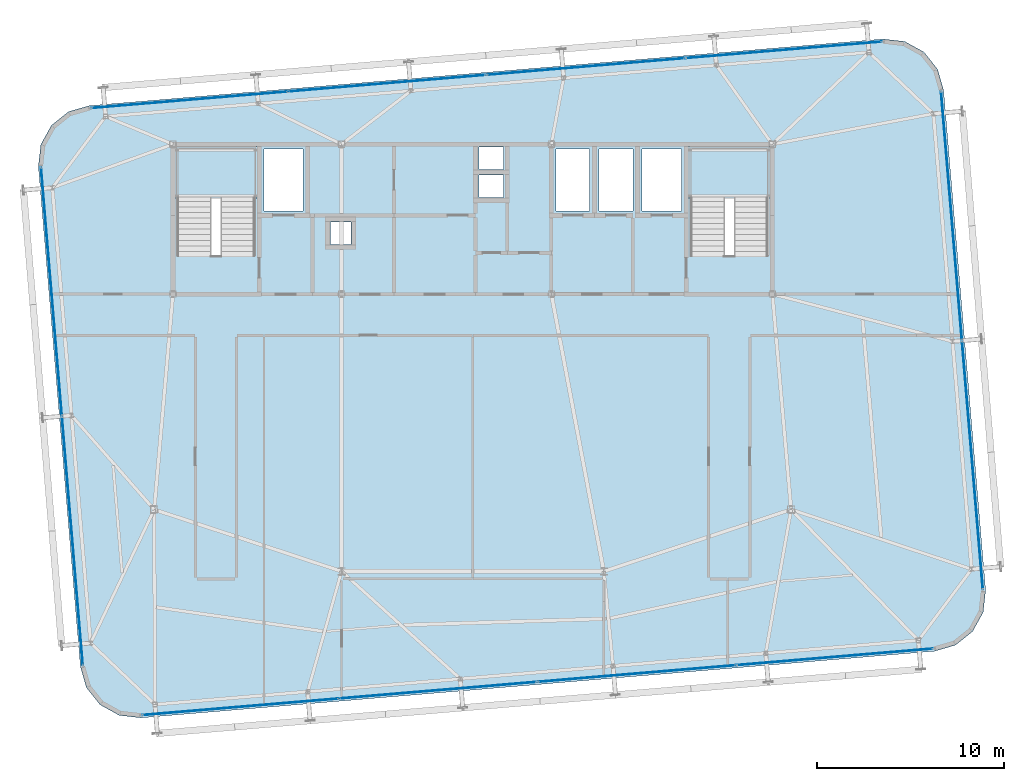
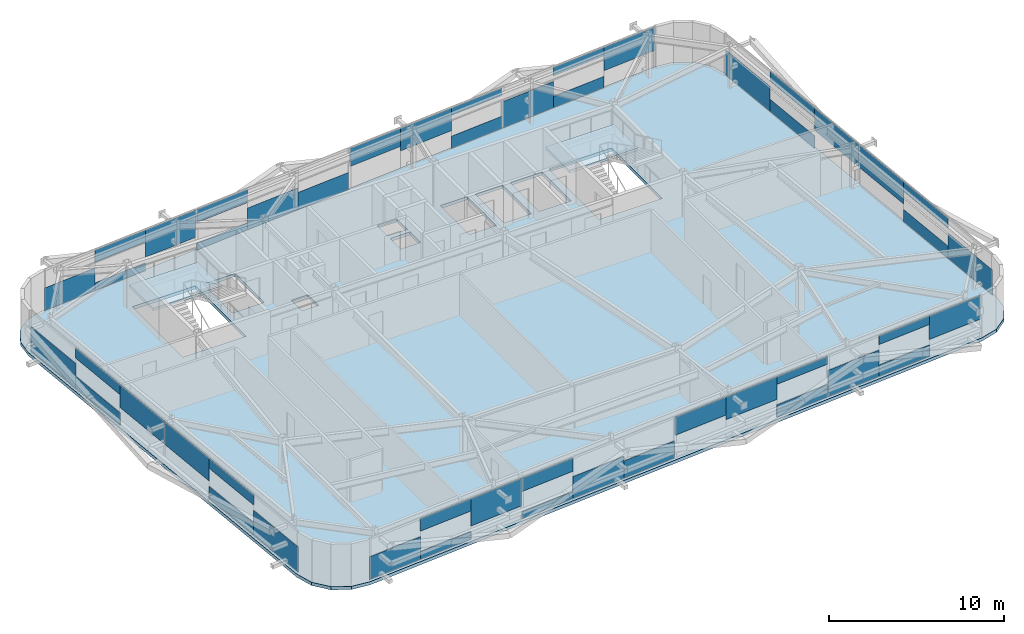
# One storey, part 26 of 37: 48 plates, 3 slabs, 6 elements without a shape of their own.
"""IFC4 building model written with IfcOpenShell, lengths in metres."""

from ifc_helpers import new_model, si_unit, direction, frame, origin, origin_2d, place, context, subcontext, project, spatial, polyline, rectangle, outline, extrude, source, transform, mapped, material, layer, layer_set, type_object, element, aggregate, save


model = new_model("IFC4")

# Units and contexts
model_context = context("Model", 3, precision=1e-05, world=origin(), true_north=direction((0.0, 1.0)))
body_context = subcontext(model_context, "Body", "Model", "MODEL_VIEW")
ifc_project = project(units=[si_unit("LENGTHUNIT", "METRE"), si_unit("AREAUNIT", "SQUARE_METRE"), si_unit("VOLUMEUNIT", "CUBIC_METRE"), si_unit("PLANEANGLEUNIT", "RADIAN"), si_unit("MASSUNIT", "GRAM", prefix="KILO")], contexts=[model_context])

# Site, building, storey
site_placement = place(None, origin())
site = spatial("IfcSite", under=ifc_project, at=site_placement, CompositionType="ELEMENT")
building_placement = place(site_placement, origin())
building = spatial("IfcBuilding", under=site, at=building_placement, Name="Taldren Reach Tower", CompositionType="ELEMENT")
storey_placement = place(building_placement, frame((0.0, 0.0, 200.89990234375)))
storey = spatial("IfcBuildingStorey", under=building, at=storey_placement, Name="L61", CompositionType="ELEMENT", Elevation=200.89990234375)

# Slab
ifc_material_1 = material(Name="Concrete N40 (40 MPa)", Category="concrete")
ifc_layer_1 = layer(ifc_material_1, 0.219970703125)
ifc_layer_set_1 = layer_set([ifc_layer_1], Name="Concrete N40 (40 MPa)")
slab_type_1 = type_object("IfcSlabType", Name="SL-FLR-220", PredefinedType="FLOOR", material=ifc_layer_set_1)
slab_1_placement = place(storey_placement, frame((0.0, 0.0, -0.219970703125)))
element("IfcSlab", 1, at=slab_1_placement, inside=storey, type_object=slab_type_1, Name="Suspended floor slab L61", PredefinedType="FLOOR", context=body_context, shape_type="SweptSolid", body=[
    extrude(outline(polyline([(59.647705078125, 4.935791015625), (60.772705078125, 5.25927734375), (61.688232421875, 5.98876953125), (62.254638671875, 7.012939453125), (62.38623046875, 8.17626953125), (60.1435546875, 34.882080078125), (59.820068359375, 36.007080078125), (59.090576171875, 36.922607421875), (58.06640625, 37.4892578125), (56.903076171875, 37.62060546875), (14.55224609375, 34.064208984375), (13.42724609375, 33.74072265625), (12.511962890625, 33.01123046875), (11.9453125, 31.987060546875), (11.813720703125, 30.82373046875), (14.056396484375, 4.117919921875), (14.3798828125, 2.992919921875), (15.109375, 2.077392578125), (16.1337890625, 1.5107421875), (17.296875, 1.37939453125), (59.647705078125, 4.935791015625)]), holes=[polyline([(19.219970703125, 26.050048828125), (23.3798828125, 26.050048828125), (23.3798828125, 31.820068359375), (19.219970703125, 31.820068359375), (19.219970703125, 26.050048828125)]), polyline([(46.6201171875, 26.050048828125), (50.780029296875, 26.050048828125), (50.780029296875, 31.820068359375), (46.6201171875, 31.820068359375), (46.6201171875, 26.050048828125)]), polyline([(23.85009765625, 28.449951171875), (25.949951171875, 28.449951171875), (25.949951171875, 31.75), (23.85009765625, 31.75), (23.85009765625, 28.449951171875)]), polyline([(44.050048828125, 28.449951171875), (46.14990234375, 28.449951171875), (46.14990234375, 31.75), (44.050048828125, 31.75), (44.050048828125, 28.449951171875)]), polyline([(39.449951171875, 28.449951171875), (41.25, 28.449951171875), (41.25, 31.75), (39.449951171875, 31.75), (39.449951171875, 28.449951171875)]), polyline([(41.75, 28.449951171875), (43.550048828125, 28.449951171875), (43.550048828125, 31.75), (41.75, 31.75), (41.75, 28.449951171875)]), polyline([(35.35009765625, 30.64990234375), (36.64990234375, 30.64990234375), (36.64990234375, 31.85009765625), (35.35009765625, 31.85009765625), (35.35009765625, 30.64990234375)]), polyline([(35.35009765625, 29.14990234375), (36.64990234375, 29.14990234375), (36.64990234375, 30.35009765625), (35.35009765625, 30.35009765625), (35.35009765625, 29.14990234375)]), polyline([(27.39990234375, 26.64990234375), (28.5, 26.64990234375), (28.5, 27.85009765625), (27.39990234375, 27.85009765625), (27.39990234375, 26.64990234375)])]), origin(), (0.0, 0.0, 1.0), 0.219970703125),
])

# Stair, slab
ifc_material_2 = material(Name="Concrete S50 (50 MPa)", Category="concrete")
stair_type = type_object("IfcStairType", Name="ST-HT-315", PredefinedType="HALF_TURN_STAIR", material=ifc_material_2)
stair_1_placement = place(storey_placement, origin())
stair_1 = element("IfcStair", 2, at=stair_1_placement, inside=storey, type_object=stair_type, Name="Fire-isolated exit stair ST1 L61", PredefinedType="HALF_TURN_STAIR")
ifc_layer_2 = layer(ifc_material_2, 0.179931640625)
ifc_layer_set_2 = layer_set([ifc_layer_2], Name="Concrete S50 (50 MPa)")
slab_type_2 = type_object("IfcSlabType", Name="SL-LAND-180", PredefinedType="LANDING", material=ifc_layer_set_2)
slab_2_placement = place(storey_placement, frame((0.0, 0.0, 1.39501953125)))
slab_2 = element("IfcSlab", 3, at=slab_2_placement, type_object=slab_type_2, Name="ST1 landing 1", PredefinedType="LANDING", context=body_context, shape_type="SweptSolid", body=[
    extrude(outline(polyline([(19.0400390625, 29.135009765625), (23.56005859375, 29.135009765625), (23.56005859375, 31.8701171875), (19.0400390625, 31.8701171875), (19.0400390625, 29.135009765625)])), origin(), (0.0, 0.0, 1.0), 0.18017578125),
])
aggregate(stair_1, [slab_2])

stair_2_placement = place(storey_placement, origin())
stair_2 = element("IfcStair", 4, at=stair_2_placement, inside=storey, type_object=stair_type, Name="Fire-isolated exit stair ST2 L61", PredefinedType="HALF_TURN_STAIR")
slab_3_placement = place(storey_placement, frame((0.0, 0.0, 1.39501953125)))
slab_3 = element("IfcSlab", 5, at=slab_3_placement, type_object=slab_type_2, Name="ST2 landing 1", PredefinedType="LANDING", context=body_context, shape_type="SweptSolid", body=[
    extrude(outline(polyline([(46.43994140625, 29.135009765625), (50.9599609375, 29.135009765625), (50.9599609375, 31.8701171875), (46.43994140625, 31.8701171875), (46.43994140625, 29.135009765625)])), origin(), (0.0, 0.0, 1.0), 0.18017578125),
])
aggregate(stair_2, [slab_3])

# Curtain wall, plate
ifc_material_3 = material(Name="Aluminium and Low-E Glass Unitised System", Category="aluminium")
ifc_layer_3 = layer(ifc_material_3, 0.159912109375)
ifc_layer_set_3 = layer_set([ifc_layer_3], Name="Aluminium and Low-E Glass Unitised System")
curtain_wall_type = type_object("IfcCurtainWallType", Name="CW-SYS-5", PredefinedType="NOTDEFINED", material=ifc_layer_set_3)
curtain_wall_1_placement = place(storey_placement, origin())
curtain_wall_1 = element("IfcCurtainWall", 6, at=curtain_wall_1_placement, inside=storey, type_object=curtain_wall_type, Name="Unitised curtain wall CW-L61-S", PredefinedType="NOTDEFINED")
ifc_material_4 = material(Name="Acoustic Triple-Laminated IGU", Category="glass")
ifc_layer_4 = layer(ifc_material_4, 0.035888671875)
ifc_layer_set_4 = layer_set([ifc_layer_4], Name="Acoustic Triple-Laminated IGU")
plate_type = type_object("IfcPlateType", Name="CW-PNL-IGU36", PredefinedType="CURTAIN_PANEL", material=ifc_layer_set_4)
shared_shape_1 = source(origin(), body_context, "Body", "SweptSolid", [
    extrude(rectangle(XDim=3.506591796875, YDim=0.035888671875, at=origin_2d()), origin(), (0.0, 0.0, 1.0), 1.63232421875),
])
plate_1_placement = place(storey_placement, frame((57.819091796875, 4.922607421875, 1.23779296875), z_axis=(0.0, 0.0, 1.0), x_axis=(0.996492854922, 0.083677894865, 0.0)))
plate_1 = element("IfcPlate", 7, at=plate_1_placement, type_object=plate_type, Name="CW-5 panel 4.1 part 4", PredefinedType="CURTAIN_PANEL", context=body_context, shape_type="MappedRepresentation", body=[
    mapped(shared_shape_1, transform((0.0, 0.0, 0.0), scale=1.0)),
])

curtain_wall_2_placement = place(storey_placement, origin())
curtain_wall_2 = element("IfcCurtainWall", 8, at=curtain_wall_2_placement, inside=storey, type_object=curtain_wall_type, Name="Unitised curtain wall CW-L61-N", PredefinedType="NOTDEFINED")
plate_2_placement = place(storey_placement, frame((55.097900390625, 37.32861328125, 1.23779296875), z_axis=(0.0, 0.0, 1.0), x_axis=(-0.99649285657, -0.083677875247, 0.0)))
plate_2 = element("IfcPlate", 9, at=plate_2_placement, type_object=plate_type, Name="CW-5 panel 1.1 part 1", PredefinedType="CURTAIN_PANEL", context=body_context, shape_type="MappedRepresentation", body=[
    mapped(shared_shape_1, transform((0.0, 0.0, 0.0), scale=1.0)),
])

# Plate
shared_shape_2 = source(origin(), body_context, "Body", "SweptSolid", [
    extrude(rectangle(XDim=3.506591796875, YDim=0.035888671875, at=origin_2d()), origin(), (0.0, 0.0, 1.0), 0.7919921875),
])
plate_3_placement = place(storey_placement, frame((54.32470703125, 4.629150390625, 0.06005859375), z_axis=(0.0, 0.0, 1.0), x_axis=(0.996492854922, 0.083677894865, 0.0)))
plate_3 = element("IfcPlate", 10, at=plate_3_placement, type_object=plate_type, Name="CW-5 panel 4.1 part 2", PredefinedType="CURTAIN_PANEL", context=body_context, shape_type="MappedRepresentation", body=[
    mapped(shared_shape_2, transform((0.0, 0.0, 0.0), scale=1.0)),
])

plate_4_placement = place(storey_placement, frame((51.603515625, 37.03515625, 0.06005859375), z_axis=(0.0, 0.0, 1.0), x_axis=(-0.99649285657, -0.083677875247, 0.0)))
plate_4 = element("IfcPlate", 11, at=plate_4_placement, type_object=plate_type, Name="CW-5 panel 1.1 part 2", PredefinedType="CURTAIN_PANEL", context=body_context, shape_type="MappedRepresentation", body=[
    mapped(shared_shape_2, transform((0.0, 0.0, 0.0), scale=1.0)),
])

shared_shape_3 = source(origin(), body_context, "Body", "SweptSolid", [
    extrude(rectangle(XDim=3.506591796875, YDim=0.035888671875, at=origin_2d()), origin(), (0.0, 0.0, 1.0), 0.590576171875),
])
plate_5_placement = place(storey_placement, frame((54.32470703125, 4.629150390625, 2.279296875), z_axis=(0.0, 0.0, 1.0), x_axis=(0.996492854922, 0.083677894865, 0.0)))
plate_5 = element("IfcPlate", 12, at=plate_5_placement, type_object=plate_type, Name="CW-5 panel 4.1 part 3", PredefinedType="CURTAIN_PANEL", context=body_context, shape_type="MappedRepresentation", body=[
    mapped(shared_shape_3, transform((0.0, 0.0, 0.0), scale=1.0)),
])

plate_6_placement = place(storey_placement, frame((51.603515625, 37.03515625, 2.279296875), z_axis=(0.0, 0.0, 1.0), x_axis=(-0.99649285657, -0.083677875247, 0.0)))
plate_6 = element("IfcPlate", 13, at=plate_6_placement, type_object=plate_type, Name="CW-5 panel 1.1 part 3", PredefinedType="CURTAIN_PANEL", context=body_context, shape_type="MappedRepresentation", body=[
    mapped(shared_shape_3, transform((0.0, 0.0, 0.0), scale=1.0)),
])

shared_shape_4 = source(origin(), body_context, "Body", "SweptSolid", [
    extrude(rectangle(XDim=3.506591796875, YDim=0.035888671875, at=origin_2d()), origin(), (0.0, 0.0, 1.0), 1.833740234375),
])
plate_7_placement = place(storey_placement, frame((50.830322265625, 4.335693359375, 0.06005859375), z_axis=(0.0, 0.0, 1.0), x_axis=(0.996492854922, 0.083677894865, 0.0)))
plate_7 = element("IfcPlate", 14, at=plate_7_placement, type_object=plate_type, Name="CW-5 panel 4.1 part 1", PredefinedType="CURTAIN_PANEL", context=body_context, shape_type="MappedRepresentation", body=[
    mapped(shared_shape_4, transform((0.0, 0.0, 0.0), scale=1.0)),
])

plate_8_placement = place(storey_placement, frame((48.109130859375, 36.74169921875, 0.06005859375), z_axis=(0.0, 0.0, 1.0), x_axis=(-0.99649285657, -0.083677875247, 0.0)))
plate_8 = element("IfcPlate", 15, at=plate_8_placement, type_object=plate_type, Name="CW-5 panel 1.1 part 4", PredefinedType="CURTAIN_PANEL", context=body_context, shape_type="MappedRepresentation", body=[
    mapped(shared_shape_4, transform((0.0, 0.0, 0.0), scale=1.0)),
])

shared_shape_5 = source(origin(), body_context, "Body", "SweptSolid", [
    extrude(rectangle(XDim=3.518310546875, YDim=0.035888671875, at=origin_2d()), origin(), (0.0, 0.0, 1.0), 0.85302734375),
])
plate_9_placement = place(storey_placement, frame((47.260498046875, 4.035888671875, 0.06005859375), z_axis=(0.0, 0.0, 1.0), x_axis=(0.996492854922, 0.083677894865, 0.0)))
plate_9 = element("IfcPlate", 16, at=plate_9_placement, type_object=plate_type, Name="CW-5 panel 3.1 part 3", PredefinedType="CURTAIN_PANEL", context=body_context, shape_type="MappedRepresentation", body=[
    mapped(shared_shape_5, transform((0.0, 0.0, 0.0), scale=1.0)),
])

plate_10_placement = place(storey_placement, frame((44.539306640625, 36.44189453125, 0.06005859375), z_axis=(0.0, 0.0, 1.0), x_axis=(-0.99649285657, -0.083677875247, 0.0)))
plate_10 = element("IfcPlate", 17, at=plate_10_placement, type_object=plate_type, Name="CW-5 panel 2.1 part 1", PredefinedType="CURTAIN_PANEL", context=body_context, shape_type="MappedRepresentation", body=[
    mapped(shared_shape_5, transform((0.0, 0.0, 0.0), scale=1.0)),
])

shared_shape_6 = source(origin(), body_context, "Body", "SweptSolid", [
    extrude(rectangle(XDim=3.518310546875, YDim=0.035888671875, at=origin_2d()), origin(), (0.0, 0.0, 1.0), 0.5263671875),
])
plate_11_placement = place(storey_placement, frame((47.260498046875, 4.035888671875, 2.34375), z_axis=(0.0, 0.0, 1.0), x_axis=(0.996492854922, 0.083677894865, 0.0)))
plate_11 = element("IfcPlate", 18, at=plate_11_placement, type_object=plate_type, Name="CW-5 panel 3.1 part 4", PredefinedType="CURTAIN_PANEL", context=body_context, shape_type="MappedRepresentation", body=[
    mapped(shared_shape_6, transform((0.0, 0.0, 0.0), scale=1.0)),
])

plate_12_placement = place(storey_placement, frame((44.539306640625, 36.44189453125, 2.34375), z_axis=(0.0, 0.0, 1.0), x_axis=(-0.99649285657, -0.083677875247, 0.0)))
plate_12 = element("IfcPlate", 19, at=plate_12_placement, type_object=plate_type, Name="CW-5 panel 2.1 part 2", PredefinedType="CURTAIN_PANEL", context=body_context, shape_type="MappedRepresentation", body=[
    mapped(shared_shape_6, transform((0.0, 0.0, 0.0), scale=1.0)),
])

shared_shape_7 = source(origin(), body_context, "Body", "SweptSolid", [
    extrude(rectangle(XDim=3.518310546875, YDim=0.035888671875, at=origin_2d()), origin(), (0.0, 0.0, 1.0), 1.571533203125),
])
plate_13_placement = place(storey_placement, frame((43.75439453125, 3.741455078125, 1.298828125), z_axis=(0.0, 0.0, 1.0), x_axis=(0.996492854922, 0.083677894865, 0.0)))
plate_13 = element("IfcPlate", 20, at=plate_13_placement, type_object=plate_type, Name="CW-5 panel 3.1 part 2", PredefinedType="CURTAIN_PANEL", context=body_context, shape_type="MappedRepresentation", body=[
    mapped(shared_shape_7, transform((0.0, 0.0, 0.0), scale=1.0)),
])

plate_14_placement = place(storey_placement, frame((41.033203125, 36.1474609375, 1.298828125), z_axis=(0.0, 0.0, 1.0), x_axis=(-0.99649285657, -0.083677875247, 0.0)))
plate_14 = element("IfcPlate", 21, at=plate_14_placement, type_object=plate_type, Name="CW-5 panel 2.1 part 3", PredefinedType="CURTAIN_PANEL", context=body_context, shape_type="MappedRepresentation", body=[
    mapped(shared_shape_7, transform((0.0, 0.0, 0.0), scale=1.0)),
])

shared_shape_8 = source(origin(), body_context, "Body", "SweptSolid", [
    extrude(rectangle(XDim=3.518310546875, YDim=0.035888671875, at=origin_2d()), origin(), (0.0, 0.0, 1.0), 1.252685546875),
])
plate_15_placement = place(storey_placement, frame((40.24853515625, 3.447265625, 1.61767578125), z_axis=(0.0, 0.0, 1.0), x_axis=(0.996492854922, 0.083677894865, 0.0)))
plate_15 = element("IfcPlate", 22, at=plate_15_placement, type_object=plate_type, Name="CW-5 panel 3.1 part 1", PredefinedType="CURTAIN_PANEL", context=body_context, shape_type="MappedRepresentation", body=[
    mapped(shared_shape_8, transform((0.0, 0.0, 0.0), scale=1.0)),
])

plate_16_placement = place(storey_placement, frame((37.52734375, 35.85302734375, 1.61767578125), z_axis=(0.0, 0.0, 1.0), x_axis=(-0.99649285657, -0.083677875247, 0.0)))
plate_16 = element("IfcPlate", 23, at=plate_16_placement, type_object=plate_type, Name="CW-5 panel 2.1 part 4", PredefinedType="CURTAIN_PANEL", context=body_context, shape_type="MappedRepresentation", body=[
    mapped(shared_shape_8, transform((0.0, 0.0, 0.0), scale=1.0)),
])

shared_shape_9 = source(origin(), body_context, "Body", "SweptSolid", [
    extrude(rectangle(XDim=3.518310546875, YDim=0.035888671875, at=origin_2d()), origin(), (0.0, 0.0, 1.0), 1.192626953125),
])
plate_17_placement = place(storey_placement, frame((36.672607421875, 3.14697265625, 0.06005859375), z_axis=(0.0, 0.0, 1.0), x_axis=(0.996492854922, 0.083677894865, 0.0)))
plate_17 = element("IfcPlate", 24, at=plate_17_placement, type_object=plate_type, Name="CW-5 panel 2.1 part 4", PredefinedType="CURTAIN_PANEL", context=body_context, shape_type="MappedRepresentation", body=[
    mapped(shared_shape_9, transform((0.0, 0.0, 0.0), scale=1.0)),
])

plate_18_placement = place(storey_placement, frame((33.951416015625, 35.552734375, 0.06005859375), z_axis=(0.0, 0.0, 1.0), x_axis=(-0.99649285657, -0.083677875247, 0.0)))
plate_18 = element("IfcPlate", 25, at=plate_18_placement, type_object=plate_type, Name="CW-5 panel 3.1 part 1", PredefinedType="CURTAIN_PANEL", context=body_context, shape_type="MappedRepresentation", body=[
    mapped(shared_shape_9, transform((0.0, 0.0, 0.0), scale=1.0)),
])

shared_shape_10 = source(origin(), body_context, "Body", "SweptSolid", [
    extrude(rectangle(XDim=3.518310546875, YDim=0.035888671875, at=origin_2d()), origin(), (0.0, 0.0, 1.0), 1.511474609375),
])
plate_19_placement = place(storey_placement, frame((33.166748046875, 2.8525390625, 0.06005859375), z_axis=(0.0, 0.0, 1.0), x_axis=(0.996492854922, 0.083677894865, 0.0)))
plate_19 = element("IfcPlate", 26, at=plate_19_placement, type_object=plate_type, Name="CW-5 panel 2.1 part 3", PredefinedType="CURTAIN_PANEL", context=body_context, shape_type="MappedRepresentation", body=[
    mapped(shared_shape_10, transform((0.0, 0.0, 0.0), scale=1.0)),
])

plate_20_placement = place(storey_placement, frame((30.445556640625, 35.258544921875, 0.06005859375), z_axis=(0.0, 0.0, 1.0), x_axis=(-0.99649285657, -0.083677875247, 0.0)))
plate_20 = element("IfcPlate", 27, at=plate_20_placement, type_object=plate_type, Name="CW-5 panel 3.1 part 2", PredefinedType="CURTAIN_PANEL", context=body_context, shape_type="MappedRepresentation", body=[
    mapped(shared_shape_10, transform((0.0, 0.0, 0.0), scale=1.0)),
])

shared_shape_11 = source(origin(), body_context, "Body", "SweptSolid", [
    extrude(rectangle(XDim=3.518310546875, YDim=0.035888671875, at=origin_2d()), origin(), (0.0, 0.0, 1.0), 0.46630859375),
])
plate_21_placement = place(storey_placement, frame((29.66064453125, 2.55810546875, 0.06005859375), z_axis=(0.0, 0.0, 1.0), x_axis=(0.996492854922, 0.083677894865, 0.0)))
plate_21 = element("IfcPlate", 28, at=plate_21_placement, type_object=plate_type, Name="CW-5 panel 2.1 part 1", PredefinedType="CURTAIN_PANEL", context=body_context, shape_type="MappedRepresentation", body=[
    mapped(shared_shape_11, transform((0.0, 0.0, 0.0), scale=1.0)),
])

plate_22_placement = place(storey_placement, frame((26.939453125, 34.964111328125, 0.06005859375), z_axis=(0.0, 0.0, 1.0), x_axis=(-0.99649285657, -0.083677875247, 0.0)))
plate_22 = element("IfcPlate", 29, at=plate_22_placement, type_object=plate_type, Name="CW-5 panel 3.1 part 3", PredefinedType="CURTAIN_PANEL", context=body_context, shape_type="MappedRepresentation", body=[
    mapped(shared_shape_11, transform((0.0, 0.0, 0.0), scale=1.0)),
])

shared_shape_12 = source(origin(), body_context, "Body", "SweptSolid", [
    extrude(rectangle(XDim=3.518310546875, YDim=0.035888671875, at=origin_2d()), origin(), (0.0, 0.0, 1.0), 0.9130859375),
])
plate_23_placement = place(storey_placement, frame((29.66064453125, 2.55810546875, 1.95703125), z_axis=(0.0, 0.0, 1.0), x_axis=(0.996492854922, 0.083677894865, 0.0)))
plate_23 = element("IfcPlate", 30, at=plate_23_placement, type_object=plate_type, Name="CW-5 panel 2.1 part 2", PredefinedType="CURTAIN_PANEL", context=body_context, shape_type="MappedRepresentation", body=[
    mapped(shared_shape_12, transform((0.0, 0.0, 0.0), scale=1.0)),
])

plate_24_placement = place(storey_placement, frame((26.939453125, 34.964111328125, 1.95703125), z_axis=(0.0, 0.0, 1.0), x_axis=(-0.99649285657, -0.083677875247, 0.0)))
plate_24 = element("IfcPlate", 31, at=plate_24_placement, type_object=plate_type, Name="CW-5 panel 3.1 part 4", PredefinedType="CURTAIN_PANEL", context=body_context, shape_type="MappedRepresentation", body=[
    mapped(shared_shape_12, transform((0.0, 0.0, 0.0), scale=1.0)),
])

shared_shape_13 = source(origin(), body_context, "Body", "SweptSolid", [
    extrude(rectangle(XDim=3.506591796875, YDim=0.035888671875, at=origin_2d()), origin(), (0.0, 0.0, 1.0), 1.893798828125),
])
plate_25_placement = place(storey_placement, frame((26.0908203125, 2.25830078125, 0.97607421875), z_axis=(0.0, 0.0, 1.0), x_axis=(0.996492854922, 0.083677894865, 0.0)))
plate_25 = element("IfcPlate", 32, at=plate_25_placement, type_object=plate_type, Name="CW-5 panel 1.1 part 4", PredefinedType="CURTAIN_PANEL", context=body_context, shape_type="MappedRepresentation", body=[
    mapped(shared_shape_13, transform((0.0, 0.0, 0.0), scale=1.0)),
])

plate_26_placement = place(storey_placement, frame((23.36962890625, 34.664306640625, 0.97607421875), z_axis=(0.0, 0.0, 1.0), x_axis=(-0.99649285657, -0.083677875247, 0.0)))
plate_26 = element("IfcPlate", 33, at=plate_26_placement, type_object=plate_type, Name="CW-5 panel 4.1 part 1", PredefinedType="CURTAIN_PANEL", context=body_context, shape_type="MappedRepresentation", body=[
    mapped(shared_shape_13, transform((0.0, 0.0, 0.0), scale=1.0)),
])

shared_shape_14 = source(origin(), body_context, "Body", "SweptSolid", [
    extrude(rectangle(XDim=3.506591796875, YDim=0.035888671875, at=origin_2d()), origin(), (0.0, 0.0, 1.0), 0.53076171875),
])
plate_27_placement = place(storey_placement, frame((22.596435546875, 1.96484375, 0.06005859375), z_axis=(0.0, 0.0, 1.0), x_axis=(0.996492854922, 0.083677894865, 0.0)))
plate_27 = element("IfcPlate", 34, at=plate_27_placement, type_object=plate_type, Name="CW-5 panel 1.1 part 2", PredefinedType="CURTAIN_PANEL", context=body_context, shape_type="MappedRepresentation", body=[
    mapped(shared_shape_14, transform((0.0, 0.0, 0.0), scale=1.0)),
])

plate_28_placement = place(storey_placement, frame((19.875244140625, 34.370849609375, 0.06005859375), z_axis=(0.0, 0.0, 1.0), x_axis=(-0.99649285657, -0.083677875247, 0.0)))
plate_28 = element("IfcPlate", 35, at=plate_28_placement, type_object=plate_type, Name="CW-5 panel 4.1 part 2", PredefinedType="CURTAIN_PANEL", context=body_context, shape_type="MappedRepresentation", body=[
    mapped(shared_shape_14, transform((0.0, 0.0, 0.0), scale=1.0)),
])

shared_shape_15 = source(origin(), body_context, "Body", "SweptSolid", [
    extrude(rectangle(XDim=3.506591796875, YDim=0.035888671875, at=origin_2d()), origin(), (0.0, 0.0, 1.0), 0.85205078125),
])
plate_29_placement = place(storey_placement, frame((22.596435546875, 1.96484375, 2.01806640625), z_axis=(0.0, 0.0, 1.0), x_axis=(0.996492854922, 0.083677894865, 0.0)))
plate_29 = element("IfcPlate", 36, at=plate_29_placement, type_object=plate_type, Name="CW-5 panel 1.1 part 3", PredefinedType="CURTAIN_PANEL", context=body_context, shape_type="MappedRepresentation", body=[
    mapped(shared_shape_15, transform((0.0, 0.0, 0.0), scale=1.0)),
])

plate_30_placement = place(storey_placement, frame((19.875244140625, 34.370849609375, 2.01806640625), z_axis=(0.0, 0.0, 1.0), x_axis=(-0.99649285657, -0.083677875247, 0.0)))
plate_30 = element("IfcPlate", 37, at=plate_30_placement, type_object=plate_type, Name="CW-5 panel 4.1 part 3", PredefinedType="CURTAIN_PANEL", context=body_context, shape_type="MappedRepresentation", body=[
    mapped(shared_shape_15, transform((0.0, 0.0, 0.0), scale=1.0)),
])

shared_shape_16 = source(origin(), body_context, "Body", "SweptSolid", [
    extrude(rectangle(XDim=3.506591796875, YDim=0.035888671875, at=origin_2d()), origin(), (0.0, 0.0, 1.0), 1.572265625),
])
plate_31_placement = place(storey_placement, frame((19.10205078125, 1.67138671875, 0.06005859375), z_axis=(0.0, 0.0, 1.0), x_axis=(0.996492854922, 0.083677894865, 0.0)))
plate_31 = element("IfcPlate", 38, at=plate_31_placement, type_object=plate_type, Name="CW-5 panel 1.1 part 1", PredefinedType="CURTAIN_PANEL", context=body_context, shape_type="MappedRepresentation", body=[
    mapped(shared_shape_16, transform((0.0, 0.0, 0.0), scale=1.0)),
])

aggregate(curtain_wall_1, [plate_31, plate_27, plate_29, plate_25, plate_21, plate_23, plate_19, plate_17, plate_15, plate_13, plate_9, plate_11, plate_7, plate_3, plate_5, plate_1])

plate_32_placement = place(storey_placement, frame((16.380859375, 34.077392578125, 0.06005859375), z_axis=(0.0, 0.0, 1.0), x_axis=(-0.99649285657, -0.083677875247, 0.0)))
plate_32 = element("IfcPlate", 39, at=plate_32_placement, type_object=plate_type, Name="CW-5 panel 4.1 part 4", PredefinedType="CURTAIN_PANEL", context=body_context, shape_type="MappedRepresentation", body=[
    mapped(shared_shape_16, transform((0.0, 0.0, 0.0), scale=1.0)),
])

aggregate(curtain_wall_2, [plate_2, plate_4, plate_6, plate_8, plate_10, plate_12, plate_14, plate_16, plate_18, plate_20, plate_22, plate_24, plate_26, plate_28, plate_30, plate_32])

# Curtain wall, plates
curtain_wall_3_placement = place(storey_placement, origin())
curtain_wall_3 = element("IfcCurtainWall", 40, at=curtain_wall_3_placement, inside=storey, type_object=curtain_wall_type, Name="Unitised curtain wall CW-L61-W", PredefinedType="NOTDEFINED")
shared_shape_17 = source(origin(), body_context, "Body", "SweptSolid", [
    extrude(rectangle(XDim=4.431640625, YDim=0.035888671875, at=origin_2d()), origin(), (0.0, 0.0, 1.0), 1.743896484375),
])
plate_33_placement = place(storey_placement, frame((12.14453125, 28.5576171875, 0.06005859375), z_axis=(0.0, 0.0, 1.0), x_axis=(0.083677979808, -0.996492847789, 0.0)))
plate_33 = element("IfcPlate", 41, at=plate_33_placement, type_object=plate_type, Name="CW-5 panel 1.1 part 1", PredefinedType="CURTAIN_PANEL", context=body_context, shape_type="MappedRepresentation", body=[
    mapped(shared_shape_17, transform((0.0, 0.0, 0.0), scale=1.0)),
])
plate_34_placement = place(storey_placement, frame((14.004638671875, 6.4072265625, 0.06005859375), z_axis=(0.0, 0.0, 1.0), x_axis=(0.083677979808, -0.996492847789, 0.0)))
plate_34 = element("IfcPlate", 42, at=plate_34_placement, type_object=plate_type, Name="CW-5 panel 2.1 part 4", PredefinedType="CURTAIN_PANEL", context=body_context, shape_type="MappedRepresentation", body=[
    mapped(shared_shape_17, transform((0.0, 0.0, 0.0), scale=1.0)),
])

curtain_wall_4_placement = place(storey_placement, origin())
curtain_wall_4 = element("IfcCurtainWall", 43, at=curtain_wall_4_placement, inside=storey, type_object=curtain_wall_type, Name="Unitised curtain wall CW-L61-E", PredefinedType="NOTDEFINED")
plate_35_placement = place(storey_placement, frame((62.055419921875, 10.4423828125, 0.06005859375), z_axis=(0.0, 0.0, 1.0), x_axis=(-0.083677979808, 0.996492847789, 0.0)))
plate_35 = element("IfcPlate", 44, at=plate_35_placement, type_object=plate_type, Name="CW-5 panel 1.1 part 1", PredefinedType="CURTAIN_PANEL", context=body_context, shape_type="MappedRepresentation", body=[
    mapped(shared_shape_17, transform((0.0, 0.0, 0.0), scale=1.0)),
])
plate_36_placement = place(storey_placement, frame((60.1953125, 32.5927734375, 0.06005859375), z_axis=(0.0, 0.0, 1.0), x_axis=(-0.083677979808, 0.996492847789, 0.0)))
plate_36 = element("IfcPlate", 45, at=plate_36_placement, type_object=plate_type, Name="CW-5 panel 2.1 part 4", PredefinedType="CURTAIN_PANEL", context=body_context, shape_type="MappedRepresentation", body=[
    mapped(shared_shape_17, transform((0.0, 0.0, 0.0), scale=1.0)),
])

# Plate
shared_shape_18 = source(origin(), body_context, "Body", "SweptSolid", [
    extrude(rectangle(XDim=4.431640625, YDim=0.035888671875, at=origin_2d()), origin(), (0.0, 0.0, 1.0), 0.861083984375),
])
plate_37_placement = place(storey_placement, frame((12.515380859375, 24.1416015625, 0.06005859375), z_axis=(0.0, 0.0, 1.0), x_axis=(0.083677979808, -0.996492847789, 0.0)))
plate_37 = element("IfcPlate", 46, at=plate_37_placement, type_object=plate_type, Name="CW-5 panel 1.1 part 2", PredefinedType="CURTAIN_PANEL", context=body_context, shape_type="MappedRepresentation", body=[
    mapped(shared_shape_18, transform((0.0, 0.0, 0.0), scale=1.0)),
])

plate_38_placement = place(storey_placement, frame((13.6337890625, 10.823486328125, 0.06005859375), z_axis=(0.0, 0.0, 1.0), x_axis=(0.083677979808, -0.996492847789, 0.0)))
plate_38 = element("IfcPlate", 47, at=plate_38_placement, type_object=plate_type, Name="CW-5 panel 2.1 part 2", PredefinedType="CURTAIN_PANEL", context=body_context, shape_type="MappedRepresentation", body=[
    mapped(shared_shape_18, transform((0.0, 0.0, 0.0), scale=1.0)),
])

plate_39_placement = place(storey_placement, frame((61.6845703125, 14.8583984375, 0.06005859375), z_axis=(0.0, 0.0, 1.0), x_axis=(-0.083677979808, 0.996492847789, 0.0)))
plate_39 = element("IfcPlate", 48, at=plate_39_placement, type_object=plate_type, Name="CW-5 panel 1.1 part 2", PredefinedType="CURTAIN_PANEL", context=body_context, shape_type="MappedRepresentation", body=[
    mapped(shared_shape_18, transform((0.0, 0.0, 0.0), scale=1.0)),
])

plate_40_placement = place(storey_placement, frame((60.566162109375, 28.176513671875, 0.06005859375), z_axis=(0.0, 0.0, 1.0), x_axis=(-0.083677979808, 0.996492847789, 0.0)))
plate_40 = element("IfcPlate", 49, at=plate_40_placement, type_object=plate_type, Name="CW-5 panel 2.1 part 2", PredefinedType="CURTAIN_PANEL", context=body_context, shape_type="MappedRepresentation", body=[
    mapped(shared_shape_18, transform((0.0, 0.0, 0.0), scale=1.0)),
])

shared_shape_19 = source(origin(), body_context, "Body", "SweptSolid", [
    extrude(rectangle(XDim=4.431640625, YDim=0.035888671875, at=origin_2d()), origin(), (0.0, 0.0, 1.0), 0.689208984375),
])
plate_41_placement = place(storey_placement, frame((12.515380859375, 24.1416015625, 2.18115234375), z_axis=(0.0, 0.0, 1.0), x_axis=(0.083677979808, -0.996492847789, 0.0)))
plate_41 = element("IfcPlate", 50, at=plate_41_placement, type_object=plate_type, Name="CW-5 panel 1.1 part 3", PredefinedType="CURTAIN_PANEL", context=body_context, shape_type="MappedRepresentation", body=[
    mapped(shared_shape_19, transform((0.0, 0.0, 0.0), scale=1.0)),
])

plate_42_placement = place(storey_placement, frame((13.6337890625, 10.823486328125, 2.18115234375), z_axis=(0.0, 0.0, 1.0), x_axis=(0.083677979808, -0.996492847789, 0.0)))
plate_42 = element("IfcPlate", 51, at=plate_42_placement, type_object=plate_type, Name="CW-5 panel 2.1 part 3", PredefinedType="CURTAIN_PANEL", context=body_context, shape_type="MappedRepresentation", body=[
    mapped(shared_shape_19, transform((0.0, 0.0, 0.0), scale=1.0)),
])

plate_43_placement = place(storey_placement, frame((61.6845703125, 14.8583984375, 2.18115234375), z_axis=(0.0, 0.0, 1.0), x_axis=(-0.083677979808, 0.996492847789, 0.0)))
plate_43 = element("IfcPlate", 52, at=plate_43_placement, type_object=plate_type, Name="CW-5 panel 1.1 part 3", PredefinedType="CURTAIN_PANEL", context=body_context, shape_type="MappedRepresentation", body=[
    mapped(shared_shape_19, transform((0.0, 0.0, 0.0), scale=1.0)),
])

plate_44_placement = place(storey_placement, frame((60.566162109375, 28.176513671875, 2.18115234375), z_axis=(0.0, 0.0, 1.0), x_axis=(-0.083677979808, 0.996492847789, 0.0)))
plate_44 = element("IfcPlate", 53, at=plate_44_placement, type_object=plate_type, Name="CW-5 panel 2.1 part 3", PredefinedType="CURTAIN_PANEL", context=body_context, shape_type="MappedRepresentation", body=[
    mapped(shared_shape_19, transform((0.0, 0.0, 0.0), scale=1.0)),
])

shared_shape_20 = source(origin(), body_context, "Body", "SweptSolid", [
    extrude(rectangle(XDim=4.431640625, YDim=0.035888671875, at=origin_2d()), origin(), (0.0, 0.0, 1.0), 1.57177734375),
])
plate_45_placement = place(storey_placement, frame((12.88623046875, 19.7255859375, 1.29833984375), z_axis=(0.0, 0.0, 1.0), x_axis=(0.083677979808, -0.996492847789, 0.0)))
plate_45 = element("IfcPlate", 54, at=plate_45_placement, type_object=plate_type, Name="CW-5 panel 1.1 part 4", PredefinedType="CURTAIN_PANEL", context=body_context, shape_type="MappedRepresentation", body=[
    mapped(shared_shape_20, transform((0.0, 0.0, 0.0), scale=1.0)),
])

plate_46_placement = place(storey_placement, frame((13.262939453125, 15.239501953125, 1.29833984375), z_axis=(0.0, 0.0, 1.0), x_axis=(0.083677979808, -0.996492847789, 0.0)))
plate_46 = element("IfcPlate", 55, at=plate_46_placement, type_object=plate_type, Name="CW-5 panel 2.1 part 1", PredefinedType="CURTAIN_PANEL", context=body_context, shape_type="MappedRepresentation", body=[
    mapped(shared_shape_20, transform((0.0, 0.0, 0.0), scale=1.0)),
])

aggregate(curtain_wall_3, [plate_33, plate_37, plate_41, plate_45, plate_46, plate_38, plate_42, plate_34])

plate_47_placement = place(storey_placement, frame((61.313720703125, 19.2744140625, 1.29833984375), z_axis=(0.0, 0.0, 1.0), x_axis=(-0.083677979808, 0.996492847789, 0.0)))
plate_47 = element("IfcPlate", 56, at=plate_47_placement, type_object=plate_type, Name="CW-5 panel 1.1 part 4", PredefinedType="CURTAIN_PANEL", context=body_context, shape_type="MappedRepresentation", body=[
    mapped(shared_shape_20, transform((0.0, 0.0, 0.0), scale=1.0)),
])

plate_48_placement = place(storey_placement, frame((60.93701171875, 23.760498046875, 1.29833984375), z_axis=(0.0, 0.0, 1.0), x_axis=(-0.083677979808, 0.996492847789, 0.0)))
plate_48 = element("IfcPlate", 57, at=plate_48_placement, type_object=plate_type, Name="CW-5 panel 2.1 part 1", PredefinedType="CURTAIN_PANEL", context=body_context, shape_type="MappedRepresentation", body=[
    mapped(shared_shape_20, transform((0.0, 0.0, 0.0), scale=1.0)),
])

aggregate(curtain_wall_4, [plate_35, plate_39, plate_43, plate_47, plate_48, plate_40, plate_44, plate_36])

save(model, "model.ifc")
